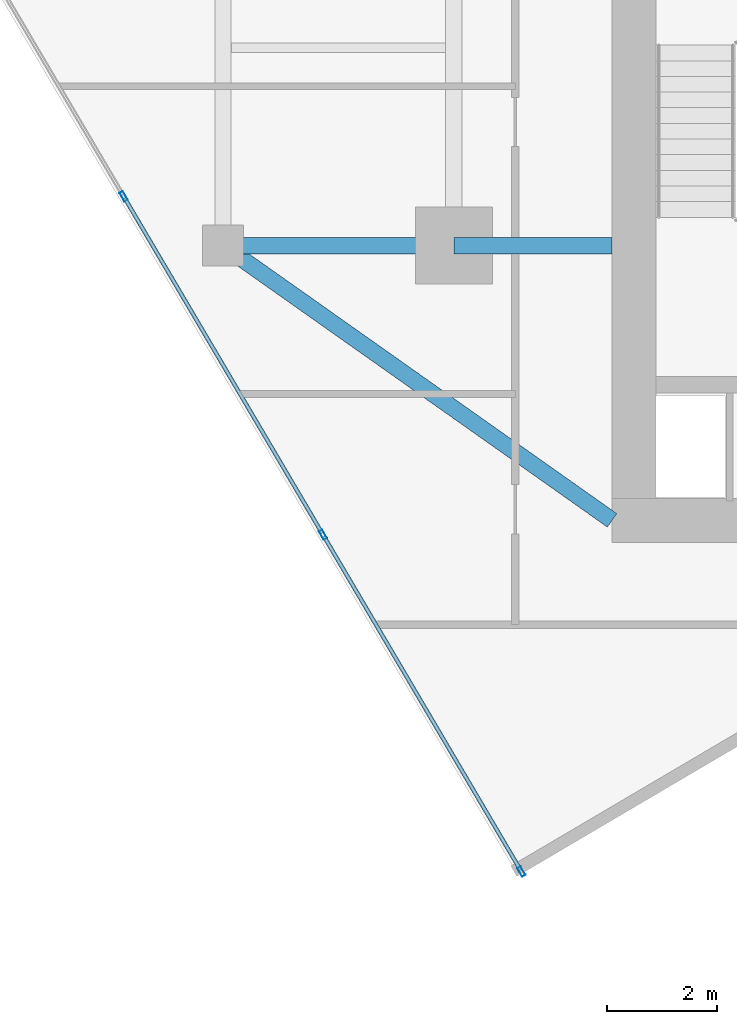
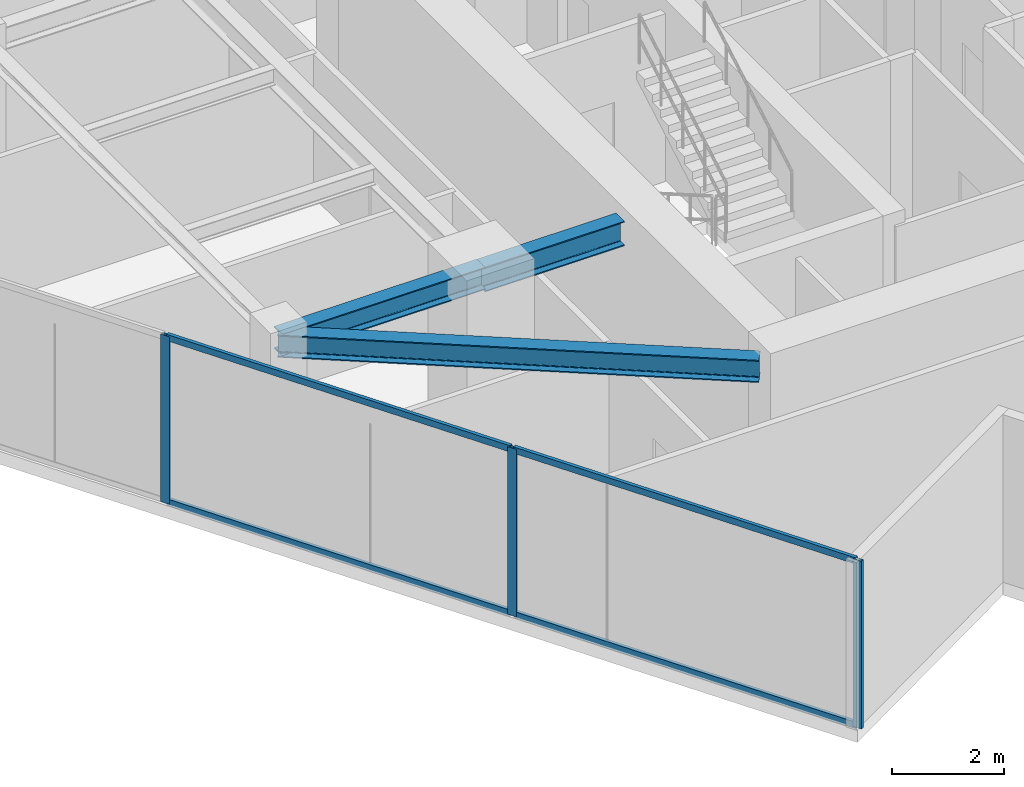
# One storey, part 2 of 20: 7 members, 3 beams, 1 element without a shape of its own.
"""IFC4 building model written with IfcOpenShell, lengths in metres."""

from ifc_helpers import new_model, si_unit, direction, frame, origin, origin_2d, place, context, subcontext, project, spatial, hollow_rectangle, i_section, extrude, source, transform, mapped, material, material_profile, profile_set, type_object, type_shapes, element, aggregate, save


model = new_model("IFC4")

# Units and contexts
model_context = context("Model", 3, precision=1e-05, world=origin(), true_north=direction((0.0, 1.0)))
body_context = subcontext(model_context, "Body", "Model", "MODEL_VIEW")
ifc_project = project(units=[si_unit("LENGTHUNIT", "METRE"), si_unit("AREAUNIT", "SQUARE_METRE"), si_unit("VOLUMEUNIT", "CUBIC_METRE"), si_unit("PLANEANGLEUNIT", "RADIAN"), si_unit("MASSUNIT", "GRAM", prefix="KILO")], contexts=[model_context])

# Site, building, storey
site_placement = place(None, origin())
site = spatial("IfcSite", under=ifc_project, at=site_placement, CompositionType="ELEMENT")
building_placement = place(site_placement, origin())
building = spatial("IfcBuilding", under=site, at=building_placement, Name="Krantzveldt Concourse Tower", CompositionType="ELEMENT")
storey_placement = place(building_placement, frame((0.0, 0.0, 295.050048828125)))
storey = spatial("IfcBuildingStorey", under=building, at=storey_placement, Name="L72", CompositionType="ELEMENT", Elevation=295.050048828125)

# Beams
ifc_material_1 = material(Name="Steel S355JR", Category="steel")
ifc_material_profile_1 = material_profile(ifc_material_1, i_section(OverallWidth=0.300048828125, OverallDepth=0.489990234375, WebThickness=0.011962890625, FlangeThickness=0.02294921875, FilletRadius=0.027099609375, at=origin_2d()), Name="Steel S355JR", Category="steel")
ifc_profile_set_1 = profile_set([ifc_material_profile_1], Name="Steel S355JR - HEA 500")
beam_type_1 = type_object("IfcBeamType", Name="BM-B-HEA500", PredefinedType="BEAM", material=ifc_profile_set_1)
shared_shape_1 = source(origin(), body_context, "Body", "SweptSolid", [
    extrude(i_section(OverallWidth=0.300048828125, OverallDepth=0.489990234375, WebThickness=0.011962890625, FlangeThickness=0.02294921875, FilletRadius=0.027099609375, at=origin_2d()), origin(), (0.0, 0.0, 1.0), 4.199951171875),
])
beam_1_placement = place(storey_placement, frame((21.0, 15.89990234375, 3.425048828125), z_axis=(1.0, 0.0, 0.0), x_axis=(0.0, 1.0, 0.0)))
element("IfcBeam", 1, at=beam_1_placement, inside=storey, type_object=beam_type_1, Name="L72 Tower Girder BR-RL1", PredefinedType="BEAM", context=body_context, shape_type="MappedRepresentation", body=[
    mapped(shared_shape_1, transform((0.0, 0.0, 0.0), x_axis=(1.0, 0.0, 0.0), y_axis=(0.0, 1.0, 0.0), z_axis=(0.0, 0.0, 1.0), scale=1.0)),
])
shared_shape_2 = source(origin(), body_context, "Body", "SweptSolid", [
    extrude(i_section(OverallWidth=0.300048828125, OverallDepth=0.489990234375, WebThickness=0.011962890625, FlangeThickness=0.02294921875, FilletRadius=0.027099609375, at=origin_2d()), origin(), (0.0, 0.0, 1.0), 8.667724609375),
])
type_shapes(beam_type_1, [shared_shape_1, shared_shape_2])
beam_2_placement = place(storey_placement, frame((21.0, 15.89990234375, 3.425048828125), z_axis=(0.81684294656, -0.576860122261, 0.0), x_axis=(0.576860122261, 0.81684294656, 0.0)))
element("IfcBeam", 2, at=beam_2_placement, inside=storey, type_object=beam_type_1, Name="L72 Tower Girder BR-CSW", PredefinedType="BEAM", context=body_context, shape_type="MappedRepresentation", body=[
    mapped(shared_shape_2, transform((0.0, 0.0, 0.0), x_axis=(1.0, 0.0, 0.0), y_axis=(0.0, 1.0, 0.0), z_axis=(0.0, 0.0, 1.0), scale=1.0)),
])
ifc_material_profile_2 = material_profile(ifc_material_1, i_section(OverallWidth=0.300048828125, OverallDepth=0.5400390625, WebThickness=0.012451171875, FlangeThickness=0.02392578125, FilletRadius=0.027099609375, at=origin_2d()), Name="Steel S355JR", Category="steel")
ifc_profile_set_2 = profile_set([ifc_material_profile_2], Name="Steel S355JR - HEA 550")
beam_type_2 = type_object("IfcBeamType", Name="BM-B-HEA550", PredefinedType="BEAM", material=ifc_profile_set_2)
shared_shape_3 = source(origin(), body_context, "Body", "SweptSolid", [
    extrude(i_section(OverallWidth=0.300048828125, OverallDepth=0.5400390625, WebThickness=0.012451171875, FlangeThickness=0.02392578125, FilletRadius=0.027099609375, at=origin_2d()), origin(), (0.0, 0.0, 1.0), 2.880126953125),
])
type_shapes(beam_type_2, [shared_shape_3])
beam_3_placement = place(storey_placement, frame((25.199951171875, 15.89990234375, 3.39990234375), z_axis=(1.0, 0.0, 0.0), x_axis=(0.0, 1.0, 0.0)))
element("IfcBeam", 3, at=beam_3_placement, inside=storey, type_object=beam_type_2, Name="L72 Tower Girder BG-CW1", PredefinedType="BEAM", context=body_context, shape_type="MappedRepresentation", body=[
    mapped(shared_shape_3, transform((0.0, 0.0, 0.0), x_axis=(1.0, 0.0, 0.0), y_axis=(0.0, 1.0, 0.0), z_axis=(0.0, 0.0, 1.0), scale=1.0)),
])

# Curtain wall, members
ifc_material_2 = material(Name="Anodised aluminium 6063-T6", Category="aluminium")
curtain_wall_type = type_object("IfcCurtainWallType", Name="CW4", PredefinedType="USERDEFINED", material=ifc_material_2)
curtain_wall_placement = place(storey_placement, origin())
curtain_wall = element("IfcCurtainWall", 4, at=curtain_wall_placement, inside=storey, type_object=curtain_wall_type, Name="CW-L72-F04", ObjectType="UNITISED CURTAIN WALL", PredefinedType="USERDEFINED")
ifc_material_profile_3 = material_profile(ifc_material_2, hollow_rectangle(XDim=0.070068359375, YDim=0.179931640625, WallThickness=0.0048828125, at=origin_2d()), Name="Anodised aluminium 6063-T6", Category="aluminium")
ifc_profile_set_3 = profile_set([ifc_material_profile_3], Name="Anodised aluminium 6063-T6 - ALU-MULL 180x70x5")
member_type_1 = type_object("IfcMemberType", Name="CW-MUL-180", PredefinedType="MULLION", material=ifc_profile_set_3)
shared_shape_4 = source(origin(), body_context, "Body", "SweptSolid", [
    extrude(hollow_rectangle(XDim=0.070068359375, YDim=0.179931640625, WallThickness=0.0048828125, at=origin_2d()), origin(), (0.0, 0.0, 1.0), 3.669921875),
])
type_shapes(member_type_1, [shared_shape_4])
member_1_placement = place(storey_placement, frame((19.189697265625, 16.7978515625, 0.0), z_axis=(0.0, 0.0, 1.0), x_axis=(0.861629171479, 0.507538344223, 0.0)))
member_1 = element("IfcMember", 5, at=member_1_placement, type_object=member_type_1, Name="CW-Z56 mullion 3", PredefinedType="MULLION", context=body_context, shape_type="MappedRepresentation", body=[
    mapped(shared_shape_4, transform((0.0, 0.0, 0.0), x_axis=(1.0, 0.0, 0.0), y_axis=(0.0, 1.0, 0.0), z_axis=(0.0, 0.0, 1.0), scale=1.0)),
])
member_2_placement = place(storey_placement, frame((22.818603515625, 10.63720703125, 0.0), z_axis=(0.0, 0.0, 1.0), x_axis=(0.861629171479, 0.507538344223, 0.0)))
member_2 = element("IfcMember", 6, at=member_2_placement, type_object=member_type_1, Name="CW-Z56 mullion 4", PredefinedType="MULLION", context=body_context, shape_type="MappedRepresentation", body=[
    mapped(shared_shape_4, transform((0.0, 0.0, 0.0), x_axis=(1.0, 0.0, 0.0), y_axis=(0.0, 1.0, 0.0), z_axis=(0.0, 0.0, 1.0), scale=1.0)),
])
member_3_placement = place(storey_placement, frame((26.4296875, 4.5068359375, 0.0), z_axis=(0.0, 0.0, 1.0), x_axis=(0.861629171479, 0.507538344223, 0.0)))
member_3 = element("IfcMember", 7, at=member_3_placement, type_object=member_type_1, Name="CW-Z56 mullion 5", PredefinedType="MULLION", context=body_context, shape_type="MappedRepresentation", body=[
    mapped(shared_shape_4, transform((0.0, 0.0, 0.0), x_axis=(1.0, 0.0, 0.0), y_axis=(0.0, 1.0, 0.0), z_axis=(0.0, 0.0, 1.0), scale=1.0)),
])
ifc_material_profile_4 = material_profile(ifc_material_2, hollow_rectangle(XDim=0.070068359375, YDim=0.139892578125, WallThickness=0.0048828125, at=origin_2d()), Name="Anodised aluminium 6063-T6", Category="aluminium")
ifc_profile_set_4 = profile_set([ifc_material_profile_4], Name="Anodised aluminium 6063-T6 - ALU-TRAN 140x70x5")
member_type_2 = type_object("IfcMemberType", Name="CW-TRN-150", PredefinedType="USERDEFINED", material=ifc_profile_set_4)
shared_shape_5 = source(origin(), body_context, "Body", "SweptSolid", [
    extrude(hollow_rectangle(XDim=0.070068359375, YDim=0.139892578125, WallThickness=0.0048828125, at=origin_2d()), origin(), (0.0, 0.0, 1.0), 7.080078125),
])
member_4_placement = place(storey_placement, frame((19.207275390625, 16.767822265625, 0.034912109375), z_axis=(0.507551986665, -0.861621135321, 0.0), x_axis=(0.861621135321, 0.507551986665, 0.0)))
member_4 = element("IfcMember", 8, at=member_4_placement, type_object=member_type_2, Name="CW-Z56 transom 3.1", ObjectType="TRANSOM", PredefinedType="USERDEFINED", context=body_context, shape_type="MappedRepresentation", body=[
    mapped(shared_shape_5, transform((0.0, 0.0, 0.0), x_axis=(1.0, 0.0, 0.0), y_axis=(0.0, 1.0, 0.0), z_axis=(0.0, 0.0, 1.0), scale=1.0)),
])
member_5_placement = place(storey_placement, frame((19.207275390625, 16.767822265625, 3.635009765625), z_axis=(0.507551986665, -0.861621135321, 0.0), x_axis=(0.861621135321, 0.507551986665, 0.0)))
member_5 = element("IfcMember", 9, at=member_5_placement, type_object=member_type_2, Name="CW-Z56 transom 3.2", ObjectType="TRANSOM", PredefinedType="USERDEFINED", context=body_context, shape_type="MappedRepresentation", body=[
    mapped(shared_shape_5, transform((0.0, 0.0, 0.0), x_axis=(1.0, 0.0, 0.0), y_axis=(0.0, 1.0, 0.0), z_axis=(0.0, 0.0, 1.0), scale=1.0)),
])
shared_shape_6 = source(origin(), body_context, "Body", "SweptSolid", [
    extrude(hollow_rectangle(XDim=0.070068359375, YDim=0.139892578125, WallThickness=0.0048828125, at=origin_2d()), origin(), (0.0, 0.0, 1.0), 7.045166015625),
])
type_shapes(member_type_2, [shared_shape_5, shared_shape_6])
member_6_placement = place(storey_placement, frame((22.836181640625, 10.607177734375, 0.034912109375), z_axis=(0.507537969638, -0.861629392126, 0.0), x_axis=(0.861629392126, 0.507537969638, 0.0)))
member_6 = element("IfcMember", 10, at=member_6_placement, type_object=member_type_2, Name="CW-Z56 transom 4.1", ObjectType="TRANSOM", PredefinedType="USERDEFINED", context=body_context, shape_type="MappedRepresentation", body=[
    mapped(shared_shape_6, transform((0.0, 0.0, 0.0), x_axis=(1.0, 0.0, 0.0), y_axis=(0.0, 1.0, 0.0), z_axis=(0.0, 0.0, 1.0), scale=1.0)),
])
member_7_placement = place(storey_placement, frame((22.836181640625, 10.607177734375, 3.635009765625), z_axis=(0.507537969638, -0.861629392126, 0.0), x_axis=(0.861629392126, 0.507537969638, 0.0)))
member_7 = element("IfcMember", 11, at=member_7_placement, type_object=member_type_2, Name="CW-Z56 transom 4.2", ObjectType="TRANSOM", PredefinedType="USERDEFINED", context=body_context, shape_type="MappedRepresentation", body=[
    mapped(shared_shape_6, transform((0.0, 0.0, 0.0), x_axis=(1.0, 0.0, 0.0), y_axis=(0.0, 1.0, 0.0), z_axis=(0.0, 0.0, 1.0), scale=1.0)),
])
aggregate(curtain_wall, [member_1, member_2, member_3, member_4, member_5, member_6, member_7])

save(model, "model.ifc")
